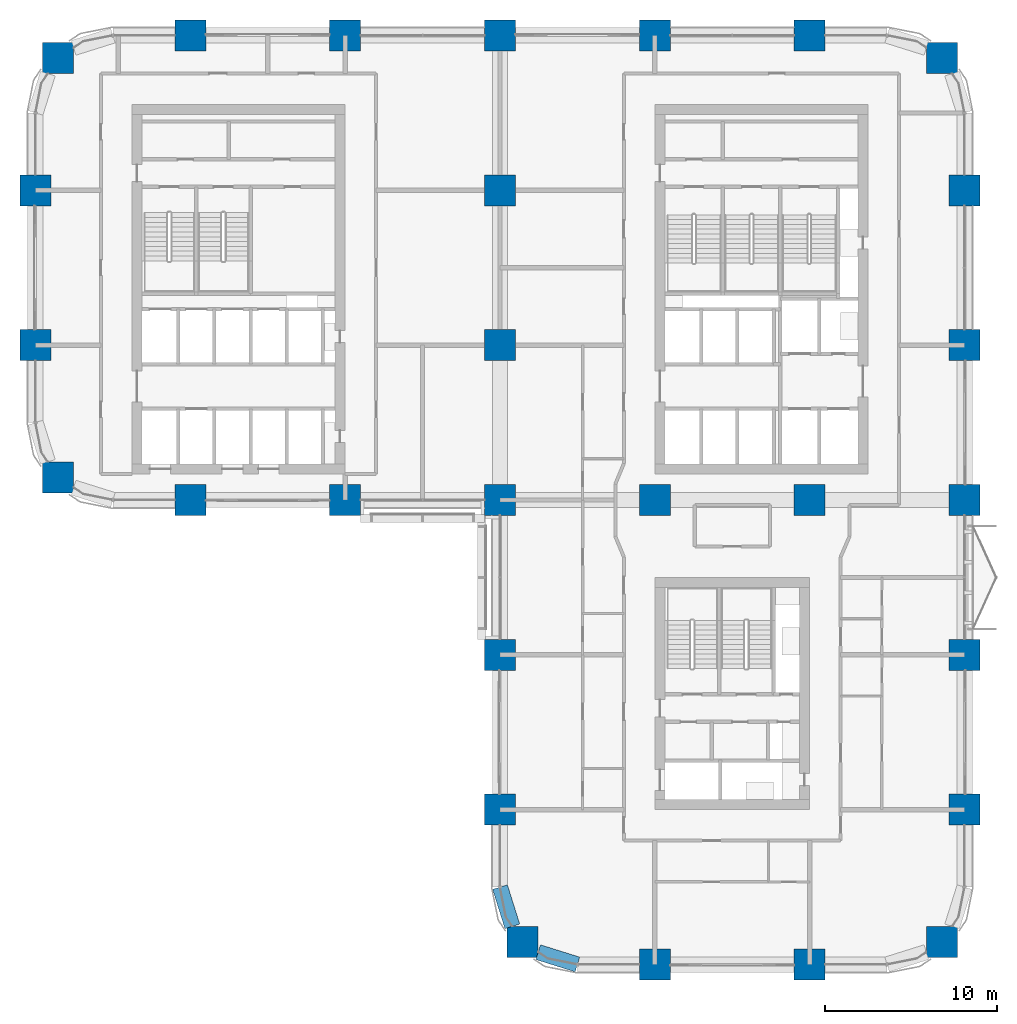
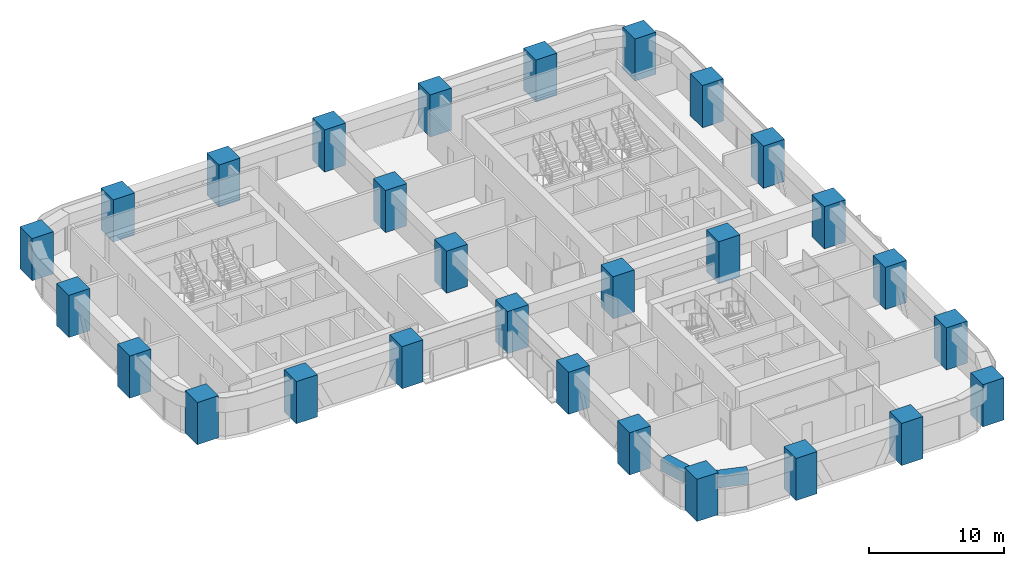
# One storey, part 1 of 18: 28 columns, 2 beams.
"""IFC4 building model written with IfcOpenShell, lengths in metres."""

from ifc_helpers import new_model, si_unit, direction, frame, origin, origin_2d, place, context, subcontext, project, spatial, rectangle, extrude, material, material_profile, profile_set, type_object, element, save


model = new_model("IFC4")

# Units and contexts
model_context = context("Model", 3, precision=1e-05, world=origin(), true_north=direction((0.0, 1.0)))
body_context = subcontext(model_context, "Body", "Model", "MODEL_VIEW")
ifc_project = project(units=[si_unit("LENGTHUNIT", "METRE"), si_unit("AREAUNIT", "SQUARE_METRE"), si_unit("VOLUMEUNIT", "CUBIC_METRE"), si_unit("PLANEANGLEUNIT", "RADIAN"), si_unit("MASSUNIT", "GRAM", prefix="KILO")], contexts=[model_context])

# Site, building, storey
site_placement = place(None, origin())
site = spatial("IfcSite", under=ifc_project, at=site_placement, CompositionType="ELEMENT")
building_placement = place(site_placement, origin())
building = spatial("IfcBuilding", under=site, at=building_placement, Name="Tessera Arch", CompositionType="ELEMENT")
storey_placement = place(building_placement, frame((0.0, 0.0, 104.39990234375)))
storey = spatial("IfcBuildingStorey", under=building, at=storey_placement, Name="L24", CompositionType="ELEMENT", Elevation=104.39990234375)

# Columns
ifc_material_1 = material(Name="Concrete C80/95", Category="concrete")
ifc_material_profile_1 = material_profile(ifc_material_1, rectangle(XDim=1.800048828125, YDim=1.800048828125, at=origin_2d()), Name="RC column 1800 x 1800 Concrete C80/95")
ifc_profile_set_1 = profile_set([ifc_material_profile_1], Name="Concrete C80/95")
column_type = type_object("IfcColumnType", Name="RC column 1800 x 1800 Concrete C80/95", PredefinedType="COLUMN", material=ifc_profile_set_1)
for number, where, z_axis, x_axis, name in (
    (1, (1.318115234375, 28.318115234375, 0.0), (0.0, 0.0, 1.0), (1.0, 0.0, 0.0), "Column C1D L24"),
    (2, (0.0, 36.0, 0.0), (0.0, 0.0, 1.0), (1.0, 0.0, 0.0), "Column C1E L24"),
    (3, (0.0, 45.0, 0.0), (0.0, 0.0, 1.0), (1.0, 0.0, 0.0), "Column C1F L24"),
    (4, (1.318115234375, 52.681884765625, 0.0), (0.0, 0.0, 1.0), (1.0, 0.0, 0.0), "Column C1G L24"),
    (5, (9.0, 27.0, 0.0), (0.0, 0.0, 1.0), (1.0, 0.0, 0.0), "Column C2D L24"),
    (6, (9.0, 54.0, 0.0), (0.0, 0.0, 1.0), (1.0, 0.0, 0.0), "Column C2G L24"),
    (7, (18.0, 27.0, 0.0), (0.0, 0.0, 1.0), (1.0, 0.0, 0.0), "Column C3D L24"),
    (8, (18.0, 54.0, 0.0), (0.0, 0.0, 1.0), (1.0, 0.0, 0.0), "Column C3G L24"),
    (9, (28.318115234375, 1.318115234375, 0.0), (0.0, 0.0, 1.0), (1.0, 0.0, 0.0), "Column C4A L24"),
    (10, (27.0, 9.0, 0.0), (0.0, 0.0, 1.0), (1.0, 0.0, 0.0), "Column C4B L24"),
    (11, (27.0, 18.0, 0.0), (0.0, 0.0, 1.0), (1.0, 0.0, 0.0), "Column C4C L24"),
    (12, (27.0, 27.0, 0.0), (0.0, 0.0, 1.0), (1.0, 0.0, 0.0), "Column C4D L24"),
    (13, (27.0, 36.0, 0.0), (0.0, 0.0, 1.0), (1.0, 0.0, 0.0), "Column C4E L24"),
    (14, (27.0, 45.0, 0.0), (0.0, 0.0, 1.0), (1.0, 0.0, 0.0), "Column C4F L24"),
    (15, (27.0, 54.0, 0.0), (0.0, 0.0, 1.0), (1.0, 0.0, 0.0), "Column C4G L24"),
    (16, (36.0, 0.0, 0.0), (0.0, 0.0, 1.0), (1.0, 0.0, 0.0), "Column C5A L24"),
    (17, (36.0, 27.0, 0.0), (0.0, 0.0, 1.0), (1.0, 0.0, 0.0), "Column C5D L24"),
    (18, (36.0, 54.0, 0.0), (0.0, 0.0, 1.0), (1.0, 0.0, 0.0), "Column C5G L24"),
    (19, (45.0, 0.0, 0.0), (0.0, 0.0, 1.0), (1.0, 0.0, 0.0), "Column C6A L24"),
    (20, (45.0, 27.0, 0.0), (0.0, 0.0, 1.0), (1.0, 0.0, 0.0), "Column C6D L24"),
    (21, (45.0, 54.0, 0.0), (0.0, 0.0, 1.0), (1.0, 0.0, 0.0), "Column C6G L24"),
    (22, (52.681884765625, 1.318115234375, 0.0), (0.0, 0.0, 1.0), (1.0, 0.0, 0.0), "Column C7A L24"),
    (23, (54.0, 9.0, 0.0), (0.0, 0.0, 1.0), (1.0, 0.0, 0.0), "Column C7B L24"),
    (24, (54.0, 18.0, 0.0), (0.0, 0.0, 1.0), (1.0, 0.0, 0.0), "Column C7C L24"),
    (25, (54.0, 27.0, 0.0), (0.0, 0.0, 1.0), (1.0, 0.0, 0.0), "Column C7D L24"),
    (26, (54.0, 36.0, 0.0), (0.0, 0.0, 1.0), (1.0, 0.0, 0.0), "Column C7E L24"),
    (27, (54.0, 45.0, 0.0), (0.0, 0.0, 1.0), (1.0, 0.0, 0.0), "Column C7F L24"),
    (28, (52.681884765625, 52.681884765625, 0.0), (0.0, 0.0, 1.0), (1.0, 0.0, 0.0), "Column C7G L24"),
):
    element("IfcColumn", number, at=place(storey_placement, frame(where, z_axis=z_axis, x_axis=x_axis)), inside=storey, type_object=column_type, Name=name, PredefinedType="COLUMN", context=body_context, shape_type="SweptSolid", body=[
        extrude(rectangle(XDim=1.800048828125, YDim=1.800048828125, at=origin_2d()), origin(), (0.0, 0.0, 1.0), 3.800048828125),
    ])

# Beams
ifc_material_2 = material(Name="Concrete C80/95", Category="concrete")
ifc_material_profile_2 = material_profile(ifc_material_2, rectangle(XDim=0.89990234375, YDim=1.0, at=origin_2d()), Name="RC spandrel beam 900 x 1000 Concrete C80/95")
ifc_profile_set_2 = profile_set([ifc_material_profile_2], Name="Concrete C80/95")
beam_type = type_object("IfcBeamType", Name="RC spandrel beam 900 x 1000 Concrete C80/95", PredefinedType="BEAM", material=ifc_profile_set_2)
for number, where, z_axis, x_axis, name in (
    (29, (27.0, 4.5, 3.0), (0.299675309057, -0.954041251279, 0.0), (0.954041251279, 0.299675309057, 0.0), "Spandrel beam L24 W27.0/2.2"),
    (30, (29.218017578125, 0.716796875, 3.0), (0.954041251279, -0.299675309057, 0.0), (0.299675309057, 0.954041251279, 0.0), "Spandrel beam L24 S0.27/0.1"),
):
    element("IfcBeam", number, at=place(storey_placement, frame(where, z_axis=z_axis, x_axis=x_axis)), inside=storey, type_object=beam_type, Name=name, PredefinedType="BEAM", context=body_context, shape_type="SweptSolid", body=[
        extrude(rectangle(XDim=0.89990234375, YDim=1.0, at=origin_2d()), origin(), (0.0, 0.0, 1.0), 2.391845703125),
    ])

save(model, "model.ifc")
